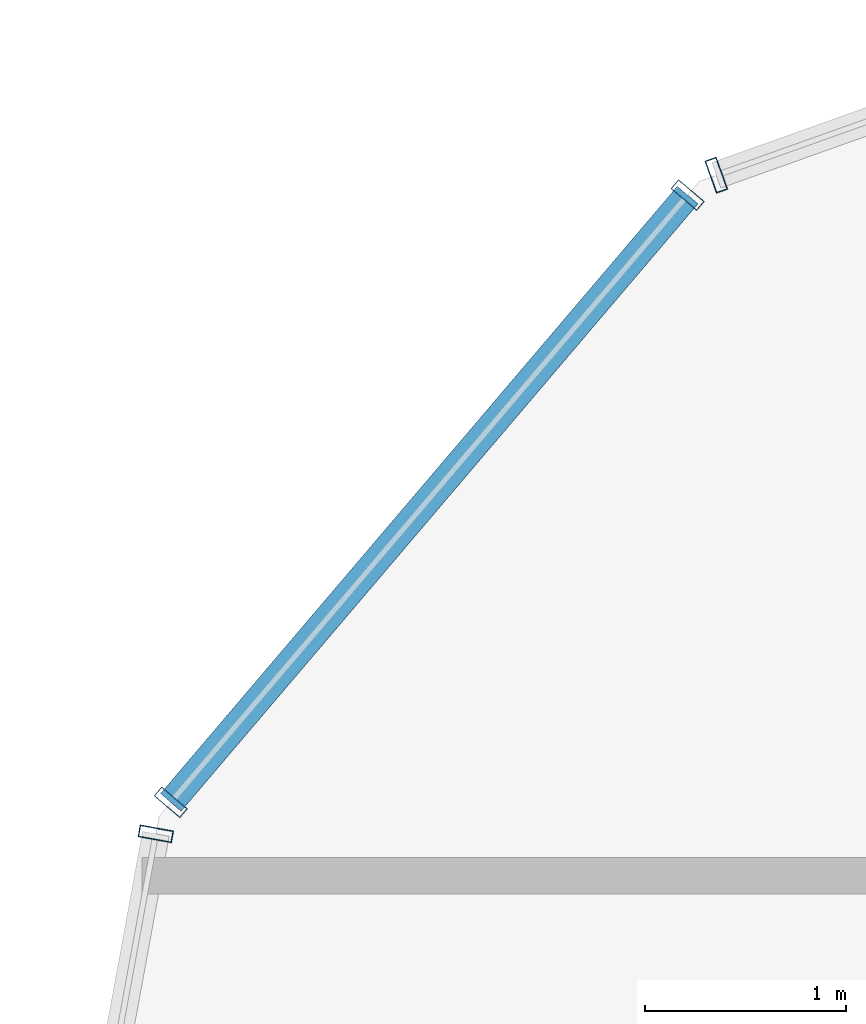
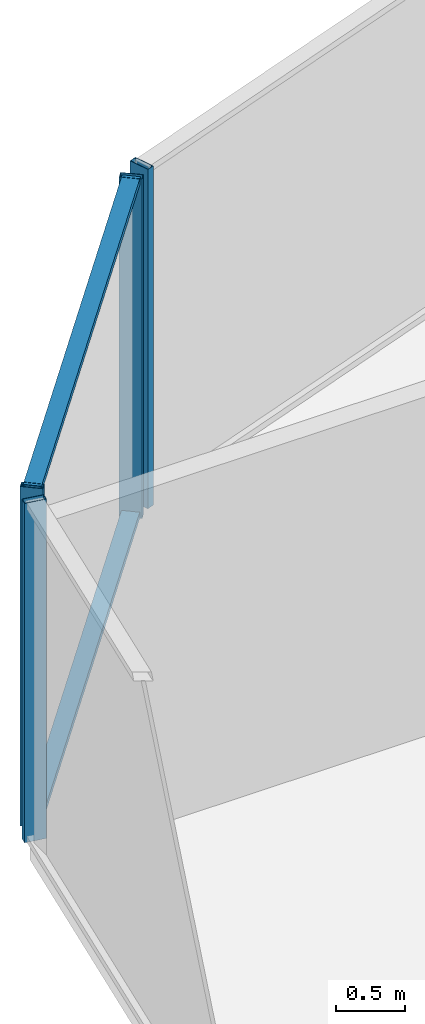
# One storey, part 20 of 33: 6 members, 3 elements without a shape of their own.
"""IFC4 building model written with IfcOpenShell, lengths in metres."""

from ifc_helpers import new_model, si_unit, direction, frame, origin, origin_2d, place, context, subcontext, project, spatial, hollow_rectangle, extrude, source, transform, mapped, material, layer, layer_set, material_profile, profile_set, type_object, element, aggregate, save


model = new_model("IFC4")

# Units and contexts
model_context = context("Model", 3, precision=1e-05, world=origin(), true_north=direction((0.0, 1.0)))
body_context = subcontext(model_context, "Body", "Model", "MODEL_VIEW")
ifc_project = project(units=[si_unit("LENGTHUNIT", "METRE"), si_unit("AREAUNIT", "SQUARE_METRE"), si_unit("VOLUMEUNIT", "CUBIC_METRE"), si_unit("PLANEANGLEUNIT", "RADIAN"), si_unit("MASSUNIT", "GRAM", prefix="KILO")], contexts=[model_context])

# Site, building, storey
site_placement = place(None, origin())
site = spatial("IfcSite", under=ifc_project, at=site_placement, CompositionType="ELEMENT")
building_placement = place(site_placement, origin())
building = spatial("IfcBuilding", under=site, at=building_placement, Name="Veraguas Prism Commons", CompositionType="ELEMENT")
storey_placement = place(building_placement, frame((0.0, 0.0, 92.699951171875)))
storey = spatial("IfcBuildingStorey", under=building, at=storey_placement, Name="L25", CompositionType="ELEMENT", Elevation=92.699951171875)

# Curtain wall, member
ifc_material = material(Name="Anodised aluminium EN AW-6063 T6", Category="aluminium")
ifc_layer = layer(ifc_material, 0.169921875, Name="Unitised Flush Curtain Wall Zone 2", Category="aluminium")
ifc_layer_set = layer_set([ifc_layer], Name="Anodised aluminium EN AW-6063 T6")
curtain_wall_type = type_object("IfcCurtainWallType", Name="Unitised Flush Curtain Wall Zone 2", PredefinedType="NOTDEFINED", material=ifc_layer_set)
curtain_wall_1_placement = place(storey_placement, origin())
curtain_wall_1 = element("IfcCurtainWall", 1, at=curtain_wall_1_placement, inside=storey, type_object=curtain_wall_type, Name="Tower Facade Curtain Wall L25-F2", PredefinedType="NOTDEFINED")
ifc_material_profile_1 = material_profile(ifc_material, hollow_rectangle(XDim=0.06005859375, YDim=0.169921875, WallThickness=0.00390625, at=origin_2d()), Name="AL60X170X4")
ifc_profile_set_1 = profile_set([ifc_material_profile_1], Name="Anodised aluminium EN AW-6063 T6")
member_type_1 = type_object("IfcMemberType", Name="Curtain Wall Mullion Lower AL 60x170x4", PredefinedType="MULLION", material=ifc_profile_set_1)
shared_shape_1 = source(origin(), body_context, "Body", "SweptSolid", [
    extrude(hollow_rectangle(XDim=0.06005859375, YDim=0.169921875, WallThickness=0.00390625, at=origin_2d()), origin(), (0.0, 0.0, 1.0), 3.0),
])
member_1_placement = place(storey_placement, frame((9.4755859375, 39.1904296875, 0.0), z_axis=(0.0, 0.0, 1.0), x_axis=(-0.942055696354, -0.335456502347, 0.0)))
member_1 = element("IfcMember", 2, at=member_1_placement, type_object=member_type_1, Name="CW-Z2 Mullion 5", PredefinedType="MULLION", context=body_context, shape_type="MappedRepresentation", body=[
    mapped(shared_shape_1, transform((0.0, 0.0, 0.0), scale=1.0)),
])
aggregate(curtain_wall_1, [member_1])

curtain_wall_2_placement = place(storey_placement, origin())
curtain_wall_2 = element("IfcCurtainWall", 3, at=curtain_wall_2_placement, inside=storey, type_object=curtain_wall_type, Name="Tower Facade Curtain Wall L25-F3", PredefinedType="NOTDEFINED")
member_2_placement = place(storey_placement, frame((6.682861328125, 35.908935546875, 0.0), z_axis=(0.0, 0.0, 1.0), x_axis=(-0.180522578562, -0.983570840677, 0.0)))
member_2 = element("IfcMember", 4, at=member_2_placement, type_object=member_type_1, Name="CW-Z2 Mullion 1", PredefinedType="MULLION", context=body_context, shape_type="MappedRepresentation", body=[
    mapped(shared_shape_1, transform((0.0, 0.0, 0.0), scale=1.0)),
])
aggregate(curtain_wall_2, [member_2])

# Curtain wall, members
curtain_wall_3_placement = place(storey_placement, origin())
curtain_wall_3 = element("IfcCurtainWall", 5, at=curtain_wall_3_placement, inside=storey, type_object=curtain_wall_type, Name="Chamfer Curtain Wall L25-C3", PredefinedType="NOTDEFINED")
member_3_placement = place(storey_placement, frame((9.33251953125, 39.091552734375, 0.0), z_axis=(0.0, 0.0, 1.0), x_axis=(-0.648110597069, -0.761546225758, 0.0)))
member_3 = element("IfcMember", 6, at=member_3_placement, type_object=member_type_1, Name="CW-Z2 Mullion 1", PredefinedType="MULLION", context=body_context, shape_type="MappedRepresentation", body=[
    mapped(shared_shape_1, transform((0.0, 0.0, 0.0), scale=1.0)),
])
member_4_placement = place(storey_placement, frame((6.75732421875, 36.06591796875, 0.0), z_axis=(0.0, 0.0, 1.0), x_axis=(-0.648110597069, -0.761546225758, 0.0)))
member_4 = element("IfcMember", 7, at=member_4_placement, type_object=member_type_1, Name="CW-Z2 Mullion 2", PredefinedType="MULLION", context=body_context, shape_type="MappedRepresentation", body=[
    mapped(shared_shape_1, transform((0.0, 0.0, 0.0), scale=1.0)),
])
ifc_material_profile_2 = material_profile(ifc_material, hollow_rectangle(XDim=0.054931640625, YDim=0.135009765625, WallThickness=0.0029296875, at=origin_2d()), Name="AL55X135X3")
ifc_profile_set_2 = profile_set([ifc_material_profile_2], Name="Anodised aluminium EN AW-6063 T6")
member_type_2 = type_object("IfcMemberType", Name="Curtain Wall Transom Standard AL 55x135x3", PredefinedType="USERDEFINED", material=ifc_profile_set_2)
shared_shape_2 = source(origin(), body_context, "Body", "SweptSolid", [
    extrude(hollow_rectangle(XDim=0.054931640625, YDim=0.135009765625, WallThickness=0.0029296875, at=origin_2d()), origin(), (0.0, 0.0, 1.0), 3.97314453125),
])
member_5_placement = place(storey_placement, frame((9.33251953125, 39.091552734375, 0.027587890625), z_axis=(-0.648145924675, -0.76151615894, 0.0), x_axis=(0.0, 0.0, 1.0)))
member_5 = element("IfcMember", 8, at=member_5_placement, type_object=member_type_2, Name="CW-Z2 Transom 1", ObjectType="TRANSOM", PredefinedType="USERDEFINED", context=body_context, shape_type="MappedRepresentation", body=[
    mapped(shared_shape_2, transform((0.0, 0.0, 0.0), scale=1.0)),
])
member_6_placement = place(storey_placement, frame((9.33251953125, 39.091552734375, 2.97265625), z_axis=(-0.648145924675, -0.76151615894, 0.0), x_axis=(0.0, 0.0, 1.0)))
member_6 = element("IfcMember", 9, at=member_6_placement, type_object=member_type_2, Name="CW-Z2 Transom 2", ObjectType="TRANSOM", PredefinedType="USERDEFINED", context=body_context, shape_type="MappedRepresentation", body=[
    mapped(shared_shape_2, transform((0.0, 0.0, 0.0), scale=1.0)),
])
aggregate(curtain_wall_3, [member_3, member_4, member_5, member_6])

save(model, "model.ifc")
